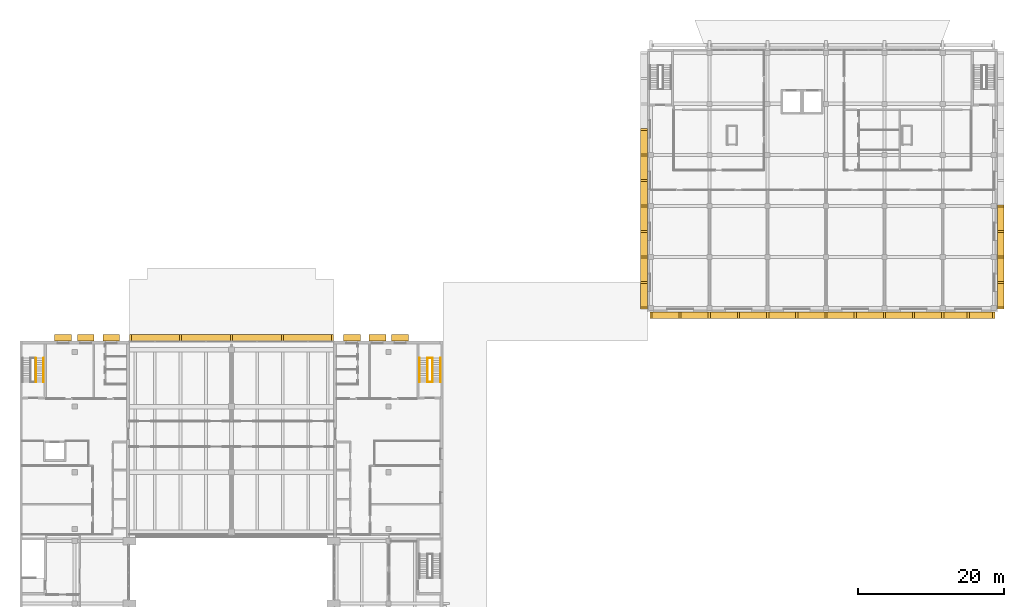
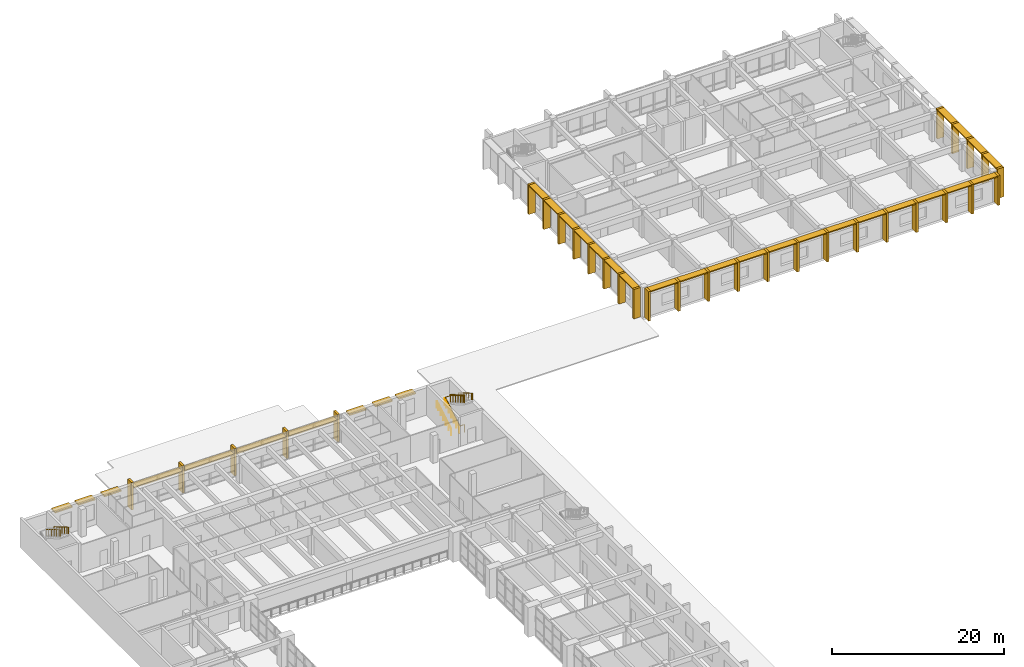
# One storey, part 43 of 45: 64 shading devices, 7 railings.
"""IFC4 building model written with IfcOpenShell, lengths in metres."""

from ifc_helpers import new_model, si_unit, direction, frame, origin, origin_2d, place, context, subcontext, project, spatial, rectangle, circle, extrude, material, layer, layer_set, type_object, element, save


model = new_model("IFC4")

# Units and contexts
model_context = context("Model", 3, precision=1e-05, world=origin(), true_north=direction((0.0, 1.0)))
body_context = subcontext(model_context, "Body", "Model", "MODEL_VIEW")
ifc_project = project(units=[si_unit("LENGTHUNIT", "METRE"), si_unit("AREAUNIT", "SQUARE_METRE"), si_unit("VOLUMEUNIT", "CUBIC_METRE"), si_unit("PLANEANGLEUNIT", "RADIAN"), si_unit("MASSUNIT", "GRAM", prefix="KILO")], contexts=[model_context])

# Site, building, storey
site_placement = place(None, origin())
site = spatial("IfcSite", under=ifc_project, at=site_placement, CompositionType="ELEMENT")
building_placement = place(site_placement, origin())
building = spatial("IfcBuilding", under=site, at=building_placement, Name="Elmora Arch Market Hall", CompositionType="ELEMENT")
storey_placement = place(building_placement, frame((0.0, 0.0, 6.0)))
storey = spatial("IfcBuildingStorey", under=building, at=storey_placement, Name="L01", CompositionType="ELEMENT", Elevation=6.0)

# Shading devices
ifc_material_1 = material(Name="Concrete C40/50", Category="concrete")
ifc_layer_1 = layer(ifc_material_1, 0.14990234375)
ifc_layer_set_1 = layer_set([ifc_layer_1], Name="Concrete C40/50")
shading_device_type_1 = type_object("IfcShadingDeviceType", Name="Concrete blade 150x900", PredefinedType="USERDEFINED", material=ifc_layer_set_1)
for number, where, z_axis, x_axis, name in (
    (1, (88.5, 129.550048828125, 4.050048828125), (0.0, 0.0, 1.0), (1.0, 0.0, 0.0), "School blade S1 L2"),
    (2, (92.5, 129.550048828125, 4.050048828125), (0.0, 0.0, 1.0), (1.0, 0.0, 0.0), "School blade S2 L2"),
    (3, (96.5, 129.550048828125, 4.050048828125), (0.0, 0.0, 1.0), (1.0, 0.0, 0.0), "School blade S3 L2"),
    (4, (100.5, 129.550048828125, 4.050048828125), (0.0, 0.0, 1.0), (1.0, 0.0, 0.0), "School blade S4 L2"),
    (5, (104.5, 129.550048828125, 4.050048828125), (0.0, 0.0, 1.0), (1.0, 0.0, 0.0), "School blade S5 L2"),
    (6, (108.5, 129.550048828125, 4.050048828125), (0.0, 0.0, 1.0), (1.0, 0.0, 0.0), "School blade S6 L2"),
    (7, (112.5, 129.550048828125, 4.050048828125), (0.0, 0.0, 1.0), (1.0, 0.0, 0.0), "School blade S7 L2"),
    (8, (116.5, 129.550048828125, 4.050048828125), (0.0, 0.0, 1.0), (1.0, 0.0, 0.0), "School blade S8 L2"),
    (9, (120.5, 129.550048828125, 4.050048828125), (0.0, 0.0, 1.0), (1.0, 0.0, 0.0), "School blade S9 L2"),
    (10, (124.5, 129.550048828125, 4.050048828125), (0.0, 0.0, 1.0), (1.0, 0.0, 0.0), "School blade S10 L2"),
):
    element("IfcShadingDevice", number, at=place(storey_placement, frame(where, z_axis=z_axis, x_axis=x_axis)), inside=storey, type_object=shading_device_type_1, Name=name, ObjectType="BLADE", PredefinedType="USERDEFINED", context=body_context, shape_type="SweptSolid", body=[
        extrude(rectangle(XDim=3.699951171875, YDim=0.89990234375, at=origin_2d()), origin(), (0.0, 0.0, 1.0), 0.14990234375),
    ])
for number, where, z_axis, x_axis, name in (
    (11, (128.25, 129.550048828125, 4.050048828125), (0.0, 0.0, 1.0), (1.0, 0.0, 0.0), "School blade S11 L2"),
    (12, (131.75, 129.550048828125, 4.050048828125), (0.0, 0.0, 1.0), (1.0, 0.0, 0.0), "School blade S12 L2"),
):
    element("IfcShadingDevice", number, at=place(storey_placement, frame(where, z_axis=z_axis, x_axis=x_axis)), inside=storey, type_object=shading_device_type_1, Name=name, ObjectType="BLADE", PredefinedType="USERDEFINED", context=body_context, shape_type="SweptSolid", body=[
        extrude(rectangle(XDim=3.199951171875, YDim=0.89990234375, at=origin_2d()), origin(), (0.0, 0.0, 1.0), 0.14990234375),
    ])
for number, where, z_axis, x_axis, name in (
    (13, (85.550048828125, 132.25, 4.050048828125), (0.0, 0.0, 1.0), (1.0, 0.0, 0.0), "School blade W1 L2"),
    (14, (85.550048828125, 135.75, 4.050048828125), (0.0, 0.0, 1.0), (1.0, 0.0, 0.0), "School blade W2 L2"),
    (15, (85.550048828125, 139.25, 4.050048828125), (0.0, 0.0, 1.0), (1.0, 0.0, 0.0), "School blade W3 L2"),
    (16, (85.550048828125, 142.75, 4.050048828125), (0.0, 0.0, 1.0), (1.0, 0.0, 0.0), "School blade W4 L2"),
    (17, (85.550048828125, 146.25, 4.050048828125), (0.0, 0.0, 1.0), (1.0, 0.0, 0.0), "School blade W5 L2"),
    (18, (85.550048828125, 149.75, 4.050048828125), (0.0, 0.0, 1.0), (1.0, 0.0, 0.0), "School blade W6 L2"),
    (19, (85.550048828125, 153.25, 4.050048828125), (0.0, 0.0, 1.0), (1.0, 0.0, 0.0), "School blade W7 L2"),
    (20, (134.449951171875, 132.25, 4.050048828125), (0.0, 0.0, 1.0), (1.0, 0.0, 0.0), "School blade E1 L2"),
    (21, (134.449951171875, 135.75, 4.050048828125), (0.0, 0.0, 1.0), (1.0, 0.0, 0.0), "School blade E2 L2"),
    (22, (134.449951171875, 139.25, 4.050048828125), (0.0, 0.0, 1.0), (1.0, 0.0, 0.0), "School blade E3 L2"),
    (23, (134.449951171875, 142.75, 4.050048828125), (0.0, 0.0, 1.0), (1.0, 0.0, 0.0), "School blade E4 L2"),
):
    element("IfcShadingDevice", number, at=place(storey_placement, frame(where, z_axis=z_axis, x_axis=x_axis)), inside=storey, type_object=shading_device_type_1, Name=name, ObjectType="BLADE", PredefinedType="USERDEFINED", context=body_context, shape_type="SweptSolid", body=[
        extrude(rectangle(XDim=0.89990234375, YDim=3.199951171875, at=origin_2d()), origin(), (0.0, 0.0, 1.0), 0.14990234375),
    ])
shading_device_1_placement = place(storey_placement, frame((18.574951171875, 126.449951171875, 3.0), z_axis=(0.0, 0.0, 1.0), x_axis=(1.0, 0.0, 0.0)))
element("IfcShadingDevice", 24, at=shading_device_1_placement, inside=storey, type_object=shading_device_type_1, Name="Pavilion blade 1", ObjectType="BLADE", PredefinedType="USERDEFINED", context=body_context, shape_type="SweptSolid", body=[
    extrude(rectangle(XDim=6.550048828125, YDim=0.89990234375, at=origin_2d()), origin(), (0.0, 0.0, 1.0), 0.14990234375),
])
for number, where, z_axis, x_axis, name in (
    (25, (25.5, 126.449951171875, 3.0), (0.0, 0.0, 1.0), (1.0, 0.0, 0.0), "Pavilion blade 2"),
    (26, (32.5, 126.449951171875, 3.0), (0.0, 0.0, 1.0), (1.0, 0.0, 0.0), "Pavilion blade 3"),
):
    element("IfcShadingDevice", number, at=place(storey_placement, frame(where, z_axis=z_axis, x_axis=x_axis)), inside=storey, type_object=shading_device_type_1, Name=name, ObjectType="BLADE", PredefinedType="USERDEFINED", context=body_context, shape_type="SweptSolid", body=[
        extrude(rectangle(XDim=6.699951171875, YDim=0.89990234375, at=origin_2d()), origin(), (0.0, 0.0, 1.0), 0.14990234375),
    ])
shading_device_2_placement = place(storey_placement, frame((39.425048828125, 126.449951171875, 3.0), z_axis=(0.0, 0.0, 1.0), x_axis=(1.0, 0.0, 0.0)))
element("IfcShadingDevice", 27, at=shading_device_2_placement, inside=storey, type_object=shading_device_type_1, Name="Pavilion blade 4", ObjectType="BLADE", PredefinedType="USERDEFINED", context=body_context, shape_type="SweptSolid", body=[
    extrude(rectangle(XDim=6.550048828125, YDim=0.89990234375, at=origin_2d()), origin(), (0.0, 0.0, 1.0), 0.14990234375),
])
ifc_material_2 = material(Name="Concrete C40/50", Category="concrete")
shading_device_type_2 = type_object("IfcShadingDeviceType", Name="Concrete fin 300x900", PredefinedType="USERDEFINED", material=ifc_material_2)
for number, where, z_axis, x_axis, name in (
    (28, (86.5, 129.550048828125, 0.0), (0.0, 0.0, 1.0), (1.0, 0.0, 0.0), "School fin S1 L01"),
    (29, (90.5, 129.550048828125, 0.0), (0.0, 0.0, 1.0), (1.0, 0.0, 0.0), "School fin S2 L01"),
    (30, (94.5, 129.550048828125, 0.0), (0.0, 0.0, 1.0), (1.0, 0.0, 0.0), "School fin S3 L01"),
    (31, (98.5, 129.550048828125, 0.0), (0.0, 0.0, 1.0), (1.0, 0.0, 0.0), "School fin S4 L01"),
    (32, (102.5, 129.550048828125, 0.0), (0.0, 0.0, 1.0), (1.0, 0.0, 0.0), "School fin S5 L01"),
    (33, (106.5, 129.550048828125, 0.0), (0.0, 0.0, 1.0), (1.0, 0.0, 0.0), "School fin S6 L01"),
    (34, (110.5, 129.550048828125, 0.0), (0.0, 0.0, 1.0), (1.0, 0.0, 0.0), "School fin S7 L01"),
    (35, (114.5, 129.550048828125, 0.0), (0.0, 0.0, 1.0), (1.0, 0.0, 0.0), "School fin S8 L01"),
    (36, (118.5, 129.550048828125, 0.0), (0.0, 0.0, 1.0), (1.0, 0.0, 0.0), "School fin S9 L01"),
    (37, (122.5, 129.550048828125, 0.0), (0.0, 0.0, 1.0), (1.0, 0.0, 0.0), "School fin S10 L01"),
    (38, (126.5, 129.550048828125, 0.0), (0.0, 0.0, 1.0), (1.0, 0.0, 0.0), "School fin S11 L01"),
    (39, (130.0, 129.550048828125, 0.0), (0.0, 0.0, 1.0), (1.0, 0.0, 0.0), "School fin S12 L01"),
    (40, (133.5, 129.550048828125, 0.0), (0.0, 0.0, 1.0), (1.0, 0.0, 0.0), "School fin S13 L01"),
):
    element("IfcShadingDevice", number, at=place(storey_placement, frame(where, z_axis=z_axis, x_axis=x_axis)), inside=storey, type_object=shading_device_type_2, Name=name, ObjectType="FIN", PredefinedType="USERDEFINED", context=body_context, shape_type="SweptSolid", body=[
        extrude(rectangle(XDim=0.300048828125, YDim=0.89990234375, at=origin_2d()), origin(), (0.0, 0.0, 1.0), 4.199951171875),
    ])
for number, where, z_axis, x_axis, name in (
    (41, (85.550048828125, 130.5, 0.0), (0.0, 0.0, 1.0), (1.0, 0.0, 0.0), "School fin W1 L01"),
    (42, (85.550048828125, 134.0, 0.0), (0.0, 0.0, 1.0), (1.0, 0.0, 0.0), "School fin W2 L01"),
    (43, (85.550048828125, 137.5, 0.0), (0.0, 0.0, 1.0), (1.0, 0.0, 0.0), "School fin W3 L01"),
    (44, (85.550048828125, 141.0, 0.0), (0.0, 0.0, 1.0), (1.0, 0.0, 0.0), "School fin W4 L01"),
    (45, (85.550048828125, 144.5, 0.0), (0.0, 0.0, 1.0), (1.0, 0.0, 0.0), "School fin W5 L01"),
    (46, (85.550048828125, 148.0, 0.0), (0.0, 0.0, 1.0), (1.0, 0.0, 0.0), "School fin W6 L01"),
    (47, (85.550048828125, 151.5, 0.0), (0.0, 0.0, 1.0), (1.0, 0.0, 0.0), "School fin W7 L01"),
    (48, (85.550048828125, 155.0, 0.0), (0.0, 0.0, 1.0), (1.0, 0.0, 0.0), "School fin W8 L01"),
    (49, (134.449951171875, 130.5, 0.0), (0.0, 0.0, 1.0), (1.0, 0.0, 0.0), "School fin E1 L01"),
    (50, (134.449951171875, 134.0, 0.0), (0.0, 0.0, 1.0), (1.0, 0.0, 0.0), "School fin E2 L01"),
    (51, (134.449951171875, 137.5, 0.0), (0.0, 0.0, 1.0), (1.0, 0.0, 0.0), "School fin E3 L01"),
    (52, (134.449951171875, 141.0, 0.0), (0.0, 0.0, 1.0), (1.0, 0.0, 0.0), "School fin E4 L01"),
    (53, (134.449951171875, 144.5, 0.0), (0.0, 0.0, 1.0), (1.0, 0.0, 0.0), "School fin E5 L01"),
):
    element("IfcShadingDevice", number, at=place(storey_placement, frame(where, z_axis=z_axis, x_axis=x_axis)), inside=storey, type_object=shading_device_type_2, Name=name, ObjectType="FIN", PredefinedType="USERDEFINED", context=body_context, shape_type="SweptSolid", body=[
        extrude(rectangle(XDim=0.89990234375, YDim=0.300048828125, at=origin_2d()), origin(), (0.0, 0.0, 1.0), 4.199951171875),
    ])
for number, where, z_axis, x_axis, name in (
    (54, (15.14990234375, 126.449951171875, 0.0), (0.0, 0.0, 1.0), (1.0, 0.0, 0.0), "Pavilion fin 1"),
    (55, (22.0, 126.449951171875, 0.0), (0.0, 0.0, 1.0), (1.0, 0.0, 0.0), "Pavilion fin 2"),
    (56, (29.0, 126.449951171875, 0.0), (0.0, 0.0, 1.0), (1.0, 0.0, 0.0), "Pavilion fin 3"),
    (57, (36.0, 126.449951171875, 0.0), (0.0, 0.0, 1.0), (1.0, 0.0, 0.0), "Pavilion fin 4"),
    (58, (42.85009765625, 126.449951171875, 0.0), (0.0, 0.0, 1.0), (1.0, 0.0, 0.0), "Pavilion fin 5"),
):
    element("IfcShadingDevice", number, at=place(storey_placement, frame(where, z_axis=z_axis, x_axis=x_axis)), inside=storey, type_object=shading_device_type_2, Name=name, ObjectType="FIN", PredefinedType="USERDEFINED", context=body_context, shape_type="SweptSolid", body=[
        extrude(rectangle(XDim=0.300048828125, YDim=0.89990234375, at=origin_2d()), origin(), (0.0, 0.0, 1.0), 3.89990234375),
    ])
ifc_material_3 = material(Name="Concrete C40/50", Category="concrete")
ifc_layer_2 = layer(ifc_material_3, 0.199951171875)
ifc_layer_set_2 = layer_set([ifc_layer_2], Name="Concrete C40/50")
shading_device_type_3 = type_object("IfcShadingDeviceType", Name="Pavilion sunshade 900x200", PredefinedType="USERDEFINED", material=ifc_layer_set_2)
for number, where, z_axis, x_axis, name in (
    (59, (5.89990234375, 126.449951171875, 3.14990234375), (0.0, 0.0, 1.0), (1.0, 0.0, 0.0), "Pavilion sunshade 5"),
    (60, (9.0, 126.449951171875, 3.14990234375), (0.0, 0.0, 1.0), (1.0, 0.0, 0.0), "Pavilion sunshade 6"),
    (61, (12.5, 126.449951171875, 3.14990234375), (0.0, 0.0, 1.0), (1.0, 0.0, 0.0), "Pavilion sunshade 7"),
    (62, (52.10009765625, 126.449951171875, 3.14990234375), (0.0, 0.0, 1.0), (1.0, 0.0, 0.0), "Pavilion sunshade 8"),
    (63, (49.0, 126.449951171875, 3.14990234375), (0.0, 0.0, 1.0), (1.0, 0.0, 0.0), "Pavilion sunshade 9"),
    (64, (45.5, 126.449951171875, 3.14990234375), (0.0, 0.0, 1.0), (1.0, 0.0, 0.0), "Pavilion sunshade 10"),
):
    element("IfcShadingDevice", number, at=place(storey_placement, frame(where, z_axis=z_axis, x_axis=x_axis)), inside=storey, type_object=shading_device_type_3, Name=name, ObjectType="SUNSHADE", PredefinedType="USERDEFINED", context=body_context, shape_type="SweptSolid", body=[
        extrude(rectangle(XDim=2.300048828125, YDim=0.89990234375, at=origin_2d()), origin(), (0.0, 0.0, 1.0), 0.199951171875),
    ])

# Railings
ifc_material_4 = material(Name="Steel ASTM A500 Gr C", Category="steel")
railing_type_1 = type_object("IfcRailingType", Name="Stair guard 1100", PredefinedType="GUARDRAIL", material=ifc_material_4)
railing_1_placement = place(storey_placement, frame((56.52001953125, 120.35009765625, 0.0)))
element("IfcRailing", 65, at=railing_1_placement, inside=storey, type_object=railing_type_1, Name="Stair ST-E guard L01", PredefinedType="GUARDRAIL", context=body_context, shape_type="SweptSolid", body=[
    extrude(circle(Radius=0.02392578125, at=origin_2d()), frame((0.0, 0.0, 1.076171875), z_axis=(-1.0, 0.0, 0.0), x_axis=(0.0, -1.0, 0.0)), (0.0, 0.0, 1.0), 0.64013671875),
    extrude(circle(Radius=0.02392578125, at=origin_2d()), frame((-0.64013671875, 0.0, 1.076171875), z_axis=(0.0, 0.0, 1.0), x_axis=(1.0, 0.0, 0.0)), (0.0, 0.0, 1.0), 0.175048828125),
    extrude(circle(Radius=0.02392578125, at=origin_2d()), frame((-0.64013671875, 0.0, 1.2509765625), z_axis=(0.0, 0.863817152568, 0.503805445515), x_axis=(-1.0, 0.0, 0.0)), (0.0, 0.0, 1.0), 0.6943359375),
    extrude(circle(Radius=0.02392578125, at=origin_2d()), frame((-0.64013671875, 0.599853515625, 1.60107421875), z_axis=(0.0, 0.863753409277, 0.503914722906), x_axis=(-1.0, 0.0, 0.0)), (0.0, 0.0, 1.0), 0.69482421875),
    extrude(circle(Radius=0.02392578125, at=origin_2d()), frame((-0.64013671875, 1.199951171875, 1.951171875), z_axis=(0.0, 0.863664136355, 0.504067713282), x_axis=(-1.0, 0.0, 0.0)), (0.0, 0.0, 1.0), 0.694580078125),
    extrude(circle(Radius=0.02392578125, at=origin_2d()), frame((-0.64013671875, 1.7998046875, 2.30126953125), z_axis=(0.0, 0.863906348401, 0.503652480577), x_axis=(-1.0, 0.0, 0.0)), (0.0, 0.0, 1.0), 0.694580078125),
    extrude(circle(Radius=0.02392578125, at=origin_2d()), frame((-0.64013671875, 2.39990234375, 2.65087890625), z_axis=(0.0, 0.863753409277, 0.503914722906), x_axis=(-1.0, 0.0, 0.0)), (0.0, 0.0, 1.0), 0.69482421875),
    extrude(circle(Radius=0.02392578125, at=origin_2d()), frame((-0.64013671875, 3.0, 3.0009765625), z_axis=(0.0, 0.86357478209, 0.504220780748), x_axis=(-1.0, 0.0, 0.0)), (0.0, 0.0, 1.0), 0.34716796875),
    extrude(circle(Radius=0.02392578125, at=origin_2d()), frame((-0.64013671875, 3.2998046875, 3.17626953125), z_axis=(1.0, 0.0, 0.0), x_axis=(0.0, 1.0, 0.0)), (0.0, 0.0, 1.0), 0.64013671875),
    extrude(circle(Radius=0.02392578125, at=origin_2d()), frame((0.0, 3.2998046875, 3.17626953125), z_axis=(0.0, 0.0, 1.0), x_axis=(1.0, 0.0, 0.0)), (0.0, 0.0, 1.0), 0.1748046875),
    extrude(circle(Radius=0.02392578125, at=origin_2d()), frame((0.0, 3.2998046875, 3.35107421875), z_axis=(0.0, -0.863664136355, 0.504067713282), x_axis=(1.0, 0.0, 0.0)), (0.0, 0.0, 1.0), 0.694580078125),
    extrude(circle(Radius=0.02392578125, at=origin_2d()), frame((0.0, 2.699951171875, 3.701171875), z_axis=(0.0, -0.863753409277, 0.503914722906), x_axis=(1.0, 0.0, 0.0)), (0.0, 0.0, 1.0), 0.69482421875),
    extrude(circle(Radius=0.02392578125, at=origin_2d()), frame((0.0, 2.099853515625, 4.05126953125), z_axis=(0.0, -0.863817152568, 0.503805445515), x_axis=(1.0, 0.0, 0.0)), (0.0, 0.0, 1.0), 0.6943359375),
    extrude(circle(Radius=0.02392578125, at=origin_2d()), frame((0.0, 1.5, 4.40087890625), z_axis=(0.0, -0.863753409277, 0.503914722906), x_axis=(1.0, 0.0, 0.0)), (0.0, 0.0, 1.0), 0.69482421875),
    extrude(circle(Radius=0.02392578125, at=origin_2d()), frame((0.0, 0.89990234375, 4.7509765625), z_axis=(0.0, -0.863906348401, 0.503652480577), x_axis=(1.0, 0.0, 0.0)), (0.0, 0.0, 1.0), 0.694580078125),
    extrude(circle(Radius=0.02392578125, at=origin_2d()), frame((0.0, 0.2998046875, 5.10107421875), z_axis=(0.0, -0.86357478209, 0.504220780748), x_axis=(1.0, 0.0, 0.0)), (0.0, 0.0, 1.0), 0.34716796875),
    extrude(circle(Radius=0.02099609375, at=origin_2d()), origin(), (0.0, 0.0, 1.0), 1.052001953125),
    extrude(circle(Radius=0.02099609375, at=origin_2d()), frame((-0.64013671875, 0.0, 0.0)), (0.0, 0.0, 1.0), 1.052001953125),
    extrude(circle(Radius=0.02099609375, at=origin_2d()), frame((-0.64013671875, 0.0, 0.175048828125)), (0.0, 0.0, 1.0), 1.052001953125),
    extrude(circle(Radius=0.02099609375, at=origin_2d()), frame((-0.64013671875, 0.599853515625, 0.52490234375)), (0.0, 0.0, 1.0), 1.052001953125),
    extrude(circle(Radius=0.02099609375, at=origin_2d()), frame((-0.64013671875, 1.199951171875, 0.875)), (0.0, 0.0, 1.0), 1.052001953125),
    extrude(circle(Radius=0.02099609375, at=origin_2d()), frame((-0.64013671875, 1.7998046875, 1.22509765625)), (0.0, 0.0, 1.0), 1.052001953125),
    extrude(circle(Radius=0.02099609375, at=origin_2d()), frame((-0.64013671875, 2.39990234375, 1.574951171875)), (0.0, 0.0, 1.0), 1.052001953125),
    extrude(circle(Radius=0.02099609375, at=origin_2d()), frame((-0.64013671875, 3.0, 1.925048828125)), (0.0, 0.0, 1.0), 1.052001953125),
    extrude(circle(Radius=0.02099609375, at=origin_2d()), frame((-0.64013671875, 3.2998046875, 2.10009765625)), (0.0, 0.0, 1.0), 1.052001953125),
    extrude(circle(Radius=0.02099609375, at=origin_2d()), frame((0.0, 3.2998046875, 2.10009765625)), (0.0, 0.0, 1.0), 1.052001953125),
    extrude(circle(Radius=0.02099609375, at=origin_2d()), frame((0.0, 3.2998046875, 2.27490234375)), (0.0, 0.0, 1.0), 1.052001953125),
    extrude(circle(Radius=0.02099609375, at=origin_2d()), frame((0.0, 2.699951171875, 2.625)), (0.0, 0.0, 1.0), 1.052001953125),
    extrude(circle(Radius=0.02099609375, at=origin_2d()), frame((0.0, 2.099853515625, 2.97509765625)), (0.0, 0.0, 1.0), 1.052001953125),
    extrude(circle(Radius=0.02099609375, at=origin_2d()), frame((0.0, 1.5, 3.324951171875)), (0.0, 0.0, 1.0), 1.052001953125),
    extrude(circle(Radius=0.02099609375, at=origin_2d()), frame((0.0, 0.89990234375, 3.675048828125)), (0.0, 0.0, 1.0), 1.052001953125),
    extrude(circle(Radius=0.02099609375, at=origin_2d()), frame((0.0, 0.2998046875, 4.02490234375)), (0.0, 0.0, 1.0), 1.052001953125),
    extrude(circle(Radius=0.02099609375, at=origin_2d()), frame((0.0, 0.0, 4.199951171875)), (0.0, 0.0, 1.0), 1.052001953125),
])
ifc_material_5 = material(Name="Stainless steel ASTM A554 Grade 304", Category="steel")
railing_type_2 = type_object("IfcRailingType", Name="Stair handrail 950", PredefinedType="HANDRAIL", material=ifc_material_5)
railing_2_placement = place(storey_placement, frame((3.239990234375, 123.64990234375, 2.27490234375)))
element("IfcRailing", 66, at=railing_2_placement, inside=storey, type_object=railing_type_2, Name="Stair ST-W L01 flight 2 handrail", PredefinedType="HANDRAIL", context=body_context, shape_type="SweptSolid", body=[
    extrude(circle(Radius=0.02392578125, at=origin_2d()), frame((0.0, 0.0, 0.92578125), z_axis=(0.0, -0.863664136355, 0.504067713282), x_axis=(1.0, 0.0, 0.0)), (0.0, 0.0, 1.0), 0.694580078125),
    extrude(circle(Radius=0.02392578125, at=origin_2d()), frame((0.0, -0.599853515625, 1.27587890625), z_axis=(0.0, -0.863753409277, 0.503914722906), x_axis=(1.0, 0.0, 0.0)), (0.0, 0.0, 1.0), 0.69482421875),
    extrude(circle(Radius=0.02392578125, at=origin_2d()), frame((0.0, -1.199951171875, 1.6259765625), z_axis=(0.0, -0.863817152568, 0.503805445515), x_axis=(1.0, 0.0, 0.0)), (0.0, 0.0, 1.0), 0.6943359375),
    extrude(circle(Radius=0.02392578125, at=origin_2d()), frame((0.0, -1.7998046875, 1.97607421875), z_axis=(0.0, -0.863753409277, 0.503914722906), x_axis=(1.0, 0.0, 0.0)), (0.0, 0.0, 1.0), 0.69482421875),
    extrude(circle(Radius=0.02392578125, at=origin_2d()), frame((0.0, -2.39990234375, 2.326171875), z_axis=(0.0, -0.863906348401, 0.503652480577), x_axis=(1.0, 0.0, 0.0)), (0.0, 0.0, 1.0), 0.694580078125),
    extrude(circle(Radius=0.02392578125, at=origin_2d()), frame((0.0, -3.0, 2.67578125), z_axis=(0.0, -0.86357478209, 0.504220780748), x_axis=(1.0, 0.0, 0.0)), (0.0, 0.0, 1.0), 0.34716796875),
    extrude(circle(Radius=0.02099609375, at=origin_2d()), origin(), (0.0, 0.0, 1.0), 0.90185546875),
    extrude(circle(Radius=0.02099609375, at=origin_2d()), frame((0.0, -0.599853515625, 0.35009765625)), (0.0, 0.0, 1.0), 0.90185546875),
    extrude(circle(Radius=0.02099609375, at=origin_2d()), frame((0.0, -1.199951171875, 0.7001953125)), (0.0, 0.0, 1.0), 0.90185546875),
    extrude(circle(Radius=0.02099609375, at=origin_2d()), frame((0.0, -1.7998046875, 1.050048828125)), (0.0, 0.0, 1.0), 0.90185546875),
    extrude(circle(Radius=0.02099609375, at=origin_2d()), frame((0.0, -2.39990234375, 1.400146484375)), (0.0, 0.0, 1.0), 0.90185546875),
    extrude(circle(Radius=0.02099609375, at=origin_2d()), frame((0.0, -3.0, 1.75)), (0.0, 0.0, 1.0), 0.90185546875),
    extrude(circle(Radius=0.02099609375, at=origin_2d()), frame((0.0, -3.2998046875, 1.925048828125)), (0.0, 0.0, 1.0), 0.90185546875),
])
railing_3_placement = place(storey_placement, frame((2.169921875, 123.64990234375, 2.27490234375)))
element("IfcRailing", 67, at=railing_3_placement, inside=storey, type_object=railing_type_2, Name="Stair ST-W L01 flight 2 handrail", PredefinedType="HANDRAIL", context=body_context, shape_type="SweptSolid", body=[
    extrude(circle(Radius=0.02392578125, at=origin_2d()), frame((0.0, 0.0, 0.92578125), z_axis=(0.0, -0.863664136355, 0.504067713282), x_axis=(1.0, 0.0, 0.0)), (0.0, 0.0, 1.0), 0.694580078125),
    extrude(circle(Radius=0.02392578125, at=origin_2d()), frame((0.0, -0.599853515625, 1.27587890625), z_axis=(0.0, -0.863753409277, 0.503914722906), x_axis=(1.0, 0.0, 0.0)), (0.0, 0.0, 1.0), 0.69482421875),
    extrude(circle(Radius=0.02392578125, at=origin_2d()), frame((0.0, -1.199951171875, 1.6259765625), z_axis=(0.0, -0.863817152568, 0.503805445515), x_axis=(1.0, 0.0, 0.0)), (0.0, 0.0, 1.0), 0.6943359375),
    extrude(circle(Radius=0.02392578125, at=origin_2d()), frame((0.0, -1.7998046875, 1.97607421875), z_axis=(0.0, -0.863753409277, 0.503914722906), x_axis=(1.0, 0.0, 0.0)), (0.0, 0.0, 1.0), 0.69482421875),
    extrude(circle(Radius=0.02392578125, at=origin_2d()), frame((0.0, -2.39990234375, 2.326171875), z_axis=(0.0, -0.863906348401, 0.503652480577), x_axis=(1.0, 0.0, 0.0)), (0.0, 0.0, 1.0), 0.694580078125),
    extrude(circle(Radius=0.02392578125, at=origin_2d()), frame((0.0, -3.0, 2.67578125), z_axis=(0.0, -0.86357478209, 0.504220780748), x_axis=(1.0, 0.0, 0.0)), (0.0, 0.0, 1.0), 0.34716796875),
    extrude(circle(Radius=0.02099609375, at=origin_2d()), origin(), (0.0, 0.0, 1.0), 0.90185546875),
    extrude(circle(Radius=0.02099609375, at=origin_2d()), frame((0.0, -0.599853515625, 0.35009765625)), (0.0, 0.0, 1.0), 0.90185546875),
    extrude(circle(Radius=0.02099609375, at=origin_2d()), frame((0.0, -1.199951171875, 0.7001953125)), (0.0, 0.0, 1.0), 0.90185546875),
    extrude(circle(Radius=0.02099609375, at=origin_2d()), frame((0.0, -1.7998046875, 1.050048828125)), (0.0, 0.0, 1.0), 0.90185546875),
    extrude(circle(Radius=0.02099609375, at=origin_2d()), frame((0.0, -2.39990234375, 1.400146484375)), (0.0, 0.0, 1.0), 0.90185546875),
    extrude(circle(Radius=0.02099609375, at=origin_2d()), frame((0.0, -3.0, 1.75)), (0.0, 0.0, 1.0), 0.90185546875),
    extrude(circle(Radius=0.02099609375, at=origin_2d()), frame((0.0, -3.2998046875, 1.925048828125)), (0.0, 0.0, 1.0), 0.90185546875),
])
railing_4_placement = place(storey_placement, frame((54.760009765625, 120.35009765625, 0.175048828125)))
element("IfcRailing", 68, at=railing_4_placement, inside=storey, type_object=railing_type_2, Name="Stair ST-E L01 flight 1 handrail", PredefinedType="HANDRAIL", context=body_context, shape_type="SweptSolid", body=[
    extrude(circle(Radius=0.02392578125, at=origin_2d()), frame((0.0, 0.0, 0.92578125), z_axis=(0.0, 0.863817152568, 0.503805445515), x_axis=(-1.0, 0.0, 0.0)), (0.0, 0.0, 1.0), 0.6943359375),
    extrude(circle(Radius=0.02392578125, at=origin_2d()), frame((0.0, 0.599853515625, 1.27587890625), z_axis=(0.0, 0.863753409277, 0.503914722906), x_axis=(-1.0, 0.0, 0.0)), (0.0, 0.0, 1.0), 0.69482421875),
    extrude(circle(Radius=0.02392578125, at=origin_2d()), frame((0.0, 1.199951171875, 1.6259765625), z_axis=(0.0, 0.863664136355, 0.504067713282), x_axis=(-1.0, 0.0, 0.0)), (0.0, 0.0, 1.0), 0.694580078125),
    extrude(circle(Radius=0.02392578125, at=origin_2d()), frame((0.0, 1.7998046875, 1.97607421875), z_axis=(0.0, 0.863906348401, 0.503652480577), x_axis=(-1.0, 0.0, 0.0)), (0.0, 0.0, 1.0), 0.694580078125),
    extrude(circle(Radius=0.02392578125, at=origin_2d()), frame((0.0, 2.39990234375, 2.32568359375), z_axis=(0.0, 0.863753409277, 0.503914722906), x_axis=(-1.0, 0.0, 0.0)), (0.0, 0.0, 1.0), 0.69482421875),
    extrude(circle(Radius=0.02392578125, at=origin_2d()), frame((0.0, 3.0, 2.67578125), z_axis=(0.0, 0.86357478209, 0.504220780748), x_axis=(-1.0, 0.0, 0.0)), (0.0, 0.0, 1.0), 0.34716796875),
    extrude(circle(Radius=0.02099609375, at=origin_2d()), origin(), (0.0, 0.0, 1.0), 0.90185546875),
    extrude(circle(Radius=0.02099609375, at=origin_2d()), frame((0.0, 0.599853515625, 0.349853515625)), (0.0, 0.0, 1.0), 0.90185546875),
    extrude(circle(Radius=0.02099609375, at=origin_2d()), frame((0.0, 1.199951171875, 0.699951171875)), (0.0, 0.0, 1.0), 0.90185546875),
    extrude(circle(Radius=0.02099609375, at=origin_2d()), frame((0.0, 1.7998046875, 1.050048828125)), (0.0, 0.0, 1.0), 0.90185546875),
    extrude(circle(Radius=0.02099609375, at=origin_2d()), frame((0.0, 2.39990234375, 1.39990234375)), (0.0, 0.0, 1.0), 0.90185546875),
    extrude(circle(Radius=0.02099609375, at=origin_2d()), frame((0.0, 3.0, 1.75)), (0.0, 0.0, 1.0), 0.90185546875),
    extrude(circle(Radius=0.02099609375, at=origin_2d()), frame((0.0, 3.2998046875, 1.925048828125)), (0.0, 0.0, 1.0), 0.90185546875),
])
railing_5_placement = place(storey_placement, frame((55.830078125, 120.35009765625, 0.175048828125)))
element("IfcRailing", 69, at=railing_5_placement, inside=storey, type_object=railing_type_2, Name="Stair ST-E L01 flight 1 handrail", PredefinedType="HANDRAIL", context=body_context, shape_type="SweptSolid", body=[
    extrude(circle(Radius=0.02392578125, at=origin_2d()), frame((0.0, 0.0, 0.92578125), z_axis=(0.0, 0.863817152568, 0.503805445515), x_axis=(-1.0, 0.0, 0.0)), (0.0, 0.0, 1.0), 0.6943359375),
    extrude(circle(Radius=0.02392578125, at=origin_2d()), frame((0.0, 0.599853515625, 1.27587890625), z_axis=(0.0, 0.863753409277, 0.503914722906), x_axis=(-1.0, 0.0, 0.0)), (0.0, 0.0, 1.0), 0.69482421875),
    extrude(circle(Radius=0.02392578125, at=origin_2d()), frame((0.0, 1.199951171875, 1.6259765625), z_axis=(0.0, 0.863664136355, 0.504067713282), x_axis=(-1.0, 0.0, 0.0)), (0.0, 0.0, 1.0), 0.694580078125),
    extrude(circle(Radius=0.02392578125, at=origin_2d()), frame((0.0, 1.7998046875, 1.97607421875), z_axis=(0.0, 0.863906348401, 0.503652480577), x_axis=(-1.0, 0.0, 0.0)), (0.0, 0.0, 1.0), 0.694580078125),
    extrude(circle(Radius=0.02392578125, at=origin_2d()), frame((0.0, 2.39990234375, 2.32568359375), z_axis=(0.0, 0.863753409277, 0.503914722906), x_axis=(-1.0, 0.0, 0.0)), (0.0, 0.0, 1.0), 0.69482421875),
    extrude(circle(Radius=0.02392578125, at=origin_2d()), frame((0.0, 3.0, 2.67578125), z_axis=(0.0, 0.86357478209, 0.504220780748), x_axis=(-1.0, 0.0, 0.0)), (0.0, 0.0, 1.0), 0.34716796875),
    extrude(circle(Radius=0.02099609375, at=origin_2d()), origin(), (0.0, 0.0, 1.0), 0.90185546875),
    extrude(circle(Radius=0.02099609375, at=origin_2d()), frame((0.0, 0.599853515625, 0.349853515625)), (0.0, 0.0, 1.0), 0.90185546875),
    extrude(circle(Radius=0.02099609375, at=origin_2d()), frame((0.0, 1.199951171875, 0.699951171875)), (0.0, 0.0, 1.0), 0.90185546875),
    extrude(circle(Radius=0.02099609375, at=origin_2d()), frame((0.0, 1.7998046875, 1.050048828125)), (0.0, 0.0, 1.0), 0.90185546875),
    extrude(circle(Radius=0.02099609375, at=origin_2d()), frame((0.0, 2.39990234375, 1.39990234375)), (0.0, 0.0, 1.0), 0.90185546875),
    extrude(circle(Radius=0.02099609375, at=origin_2d()), frame((0.0, 3.0, 1.75)), (0.0, 0.0, 1.0), 0.90185546875),
    extrude(circle(Radius=0.02099609375, at=origin_2d()), frame((0.0, 3.2998046875, 1.925048828125)), (0.0, 0.0, 1.0), 0.90185546875),
])
railing_6_placement = place(storey_placement, frame((57.639892578125, 123.64990234375, 2.27490234375)))
element("IfcRailing", 70, at=railing_6_placement, inside=storey, type_object=railing_type_2, Name="Stair ST-E L01 flight 2 handrail", PredefinedType="HANDRAIL", context=body_context, shape_type="SweptSolid", body=[
    extrude(circle(Radius=0.02392578125, at=origin_2d()), frame((0.0, 0.0, 0.92578125), z_axis=(0.0, -0.863664136355, 0.504067713282), x_axis=(1.0, 0.0, 0.0)), (0.0, 0.0, 1.0), 0.694580078125),
    extrude(circle(Radius=0.02392578125, at=origin_2d()), frame((0.0, -0.599853515625, 1.27587890625), z_axis=(0.0, -0.863753409277, 0.503914722906), x_axis=(1.0, 0.0, 0.0)), (0.0, 0.0, 1.0), 0.69482421875),
    extrude(circle(Radius=0.02392578125, at=origin_2d()), frame((0.0, -1.199951171875, 1.6259765625), z_axis=(0.0, -0.863817152568, 0.503805445515), x_axis=(1.0, 0.0, 0.0)), (0.0, 0.0, 1.0), 0.6943359375),
    extrude(circle(Radius=0.02392578125, at=origin_2d()), frame((0.0, -1.7998046875, 1.97607421875), z_axis=(0.0, -0.863753409277, 0.503914722906), x_axis=(1.0, 0.0, 0.0)), (0.0, 0.0, 1.0), 0.69482421875),
    extrude(circle(Radius=0.02392578125, at=origin_2d()), frame((0.0, -2.39990234375, 2.326171875), z_axis=(0.0, -0.863906348401, 0.503652480577), x_axis=(1.0, 0.0, 0.0)), (0.0, 0.0, 1.0), 0.694580078125),
    extrude(circle(Radius=0.02392578125, at=origin_2d()), frame((0.0, -3.0, 2.67578125), z_axis=(0.0, -0.86357478209, 0.504220780748), x_axis=(1.0, 0.0, 0.0)), (0.0, 0.0, 1.0), 0.34716796875),
    extrude(circle(Radius=0.02099609375, at=origin_2d()), origin(), (0.0, 0.0, 1.0), 0.90185546875),
    extrude(circle(Radius=0.02099609375, at=origin_2d()), frame((0.0, -0.599853515625, 0.35009765625)), (0.0, 0.0, 1.0), 0.90185546875),
    extrude(circle(Radius=0.02099609375, at=origin_2d()), frame((0.0, -1.199951171875, 0.7001953125)), (0.0, 0.0, 1.0), 0.90185546875),
    extrude(circle(Radius=0.02099609375, at=origin_2d()), frame((0.0, -1.7998046875, 1.050048828125)), (0.0, 0.0, 1.0), 0.90185546875),
    extrude(circle(Radius=0.02099609375, at=origin_2d()), frame((0.0, -2.39990234375, 1.400146484375)), (0.0, 0.0, 1.0), 0.90185546875),
    extrude(circle(Radius=0.02099609375, at=origin_2d()), frame((0.0, -3.0, 1.75)), (0.0, 0.0, 1.0), 0.90185546875),
    extrude(circle(Radius=0.02099609375, at=origin_2d()), frame((0.0, -3.2998046875, 1.925048828125)), (0.0, 0.0, 1.0), 0.90185546875),
])
railing_7_placement = place(storey_placement, frame((56.570068359375, 123.64990234375, 2.27490234375)))
element("IfcRailing", 71, at=railing_7_placement, inside=storey, type_object=railing_type_2, Name="Stair ST-E L01 flight 2 handrail", PredefinedType="HANDRAIL", context=body_context, shape_type="SweptSolid", body=[
    extrude(circle(Radius=0.02392578125, at=origin_2d()), frame((0.0, 0.0, 0.92578125), z_axis=(0.0, -0.863664136355, 0.504067713282), x_axis=(1.0, 0.0, 0.0)), (0.0, 0.0, 1.0), 0.694580078125),
    extrude(circle(Radius=0.02392578125, at=origin_2d()), frame((0.0, -0.599853515625, 1.27587890625), z_axis=(0.0, -0.863753409277, 0.503914722906), x_axis=(1.0, 0.0, 0.0)), (0.0, 0.0, 1.0), 0.69482421875),
    extrude(circle(Radius=0.02392578125, at=origin_2d()), frame((0.0, -1.199951171875, 1.6259765625), z_axis=(0.0, -0.863817152568, 0.503805445515), x_axis=(1.0, 0.0, 0.0)), (0.0, 0.0, 1.0), 0.6943359375),
    extrude(circle(Radius=0.02392578125, at=origin_2d()), frame((0.0, -1.7998046875, 1.97607421875), z_axis=(0.0, -0.863753409277, 0.503914722906), x_axis=(1.0, 0.0, 0.0)), (0.0, 0.0, 1.0), 0.69482421875),
    extrude(circle(Radius=0.02392578125, at=origin_2d()), frame((0.0, -2.39990234375, 2.326171875), z_axis=(0.0, -0.863906348401, 0.503652480577), x_axis=(1.0, 0.0, 0.0)), (0.0, 0.0, 1.0), 0.694580078125),
    extrude(circle(Radius=0.02392578125, at=origin_2d()), frame((0.0, -3.0, 2.67578125), z_axis=(0.0, -0.86357478209, 0.504220780748), x_axis=(1.0, 0.0, 0.0)), (0.0, 0.0, 1.0), 0.34716796875),
    extrude(circle(Radius=0.02099609375, at=origin_2d()), origin(), (0.0, 0.0, 1.0), 0.90185546875),
    extrude(circle(Radius=0.02099609375, at=origin_2d()), frame((0.0, -0.599853515625, 0.35009765625)), (0.0, 0.0, 1.0), 0.90185546875),
    extrude(circle(Radius=0.02099609375, at=origin_2d()), frame((0.0, -1.199951171875, 0.7001953125)), (0.0, 0.0, 1.0), 0.90185546875),
    extrude(circle(Radius=0.02099609375, at=origin_2d()), frame((0.0, -1.7998046875, 1.050048828125)), (0.0, 0.0, 1.0), 0.90185546875),
    extrude(circle(Radius=0.02099609375, at=origin_2d()), frame((0.0, -2.39990234375, 1.400146484375)), (0.0, 0.0, 1.0), 0.90185546875),
    extrude(circle(Radius=0.02099609375, at=origin_2d()), frame((0.0, -3.0, 1.75)), (0.0, 0.0, 1.0), 0.90185546875),
    extrude(circle(Radius=0.02099609375, at=origin_2d()), frame((0.0, -3.2998046875, 1.925048828125)), (0.0, 0.0, 1.0), 0.90185546875),
])

save(model, "model.ifc")
